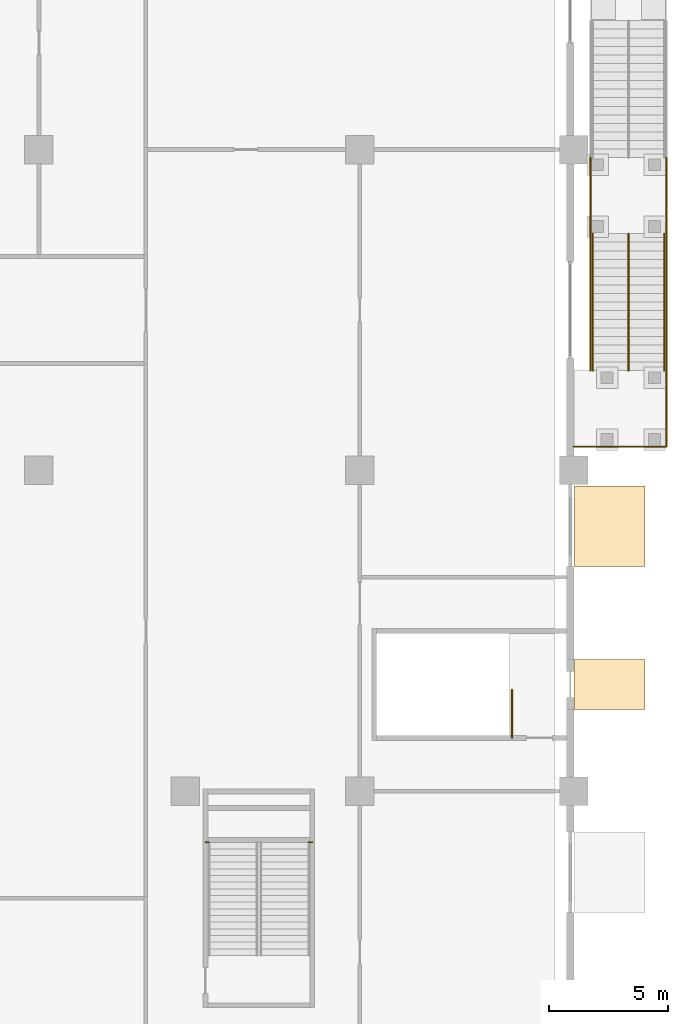
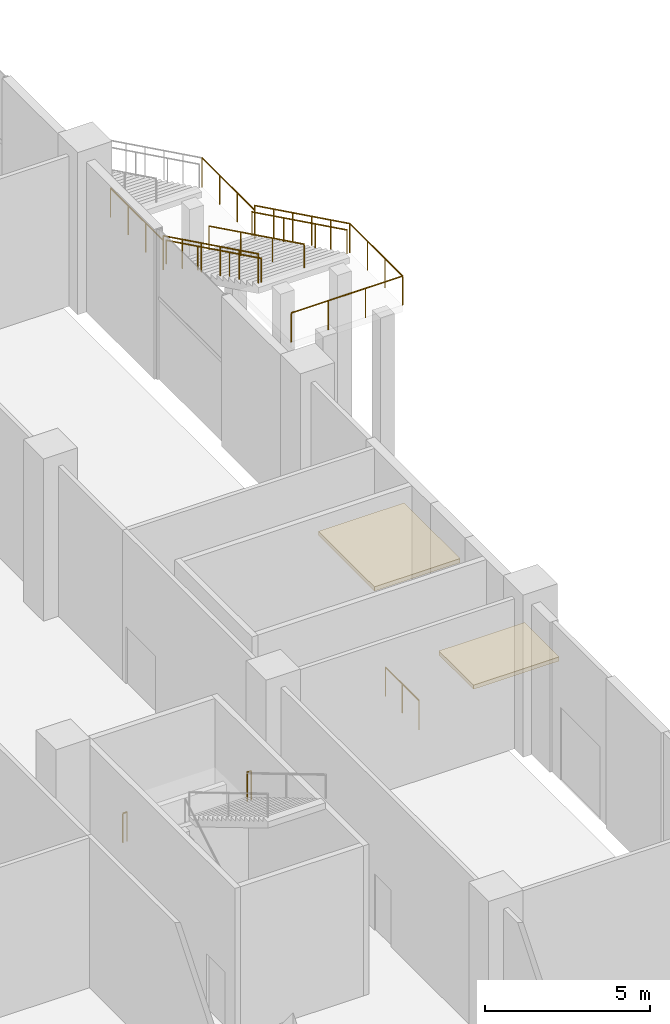
# One storey, part 66 of 68: 12 railings, 2 coverings.
"""IFC4 building model written with IfcOpenShell, lengths in metres."""

from ifc_helpers import new_model, si_unit, direction, frame, origin, origin_2d, place, context, subcontext, project, spatial, polyline, circle, outline, extrude, source, transform, mapped, material, layer, layer_set, type_object, element, save


model = new_model("IFC4")

# Units and contexts
model_context = context("Model", 3, precision=1e-05, world=origin(), true_north=direction((0.0, 1.0)))
body_context = subcontext(model_context, "Body", "Model", "MODEL_VIEW")
ifc_project = project(units=[si_unit("LENGTHUNIT", "METRE"), si_unit("AREAUNIT", "SQUARE_METRE"), si_unit("VOLUMEUNIT", "CUBIC_METRE"), si_unit("PLANEANGLEUNIT", "RADIAN"), si_unit("MASSUNIT", "GRAM", prefix="KILO")], contexts=[model_context])

# Site, building, storey
site_placement = place(None, origin())
site = spatial("IfcSite", under=ifc_project, at=site_placement, CompositionType="ELEMENT")
building_placement = place(site_placement, origin())
building = spatial("IfcBuilding", under=site, at=building_placement, Name="Altepetl Exchange Towers", CompositionType="ELEMENT")
storey_placement = place(building_placement, origin())
storey = spatial("IfcBuildingStorey", under=building, at=storey_placement, Name="L00 Ground concourse", CompositionType="ELEMENT", Elevation=0.0)

# Coverings
ifc_material_1 = material(Name="Cantera limestone paving", Category="masonry")
ifc_layer = layer(ifc_material_1, 0.14990234375)
ifc_layer_set = layer_set([ifc_layer], Name="Cantera limestone paving")
covering_type = type_object("IfcCoveringType", Name="Paving 150 limestone", PredefinedType="FLOORING", material=ifc_layer_set)
covering_1_placement = place(storey_placement, frame((0.0, 0.0, -0.14990234375)))
element("IfcCovering", 1, at=covering_1_placement, inside=storey, type_object=covering_type, Name="Paving", PredefinedType="FLOORING", context=body_context, shape_type="SweptSolid", body=[
    extrude(outline(polyline([(153.0, 66.449951171875), (156.0, 66.449951171875), (156.0, 68.550048828125), (153.0, 68.550048828125), (153.0, 66.449951171875)])), origin(), (0.0, 0.0, 1.0), 0.14990234375),
])
covering_2_placement = place(storey_placement, frame((0.0, 0.0, -0.14990234375)))
element("IfcCovering", 2, at=covering_2_placement, inside=storey, type_object=covering_type, Name="Paving", PredefinedType="FLOORING", context=body_context, shape_type="SweptSolid", body=[
    extrude(outline(polyline([(153.0, 72.449951171875), (156.0, 72.449951171875), (156.0, 75.85009765625), (153.0, 75.85009765625), (153.0, 72.449951171875)])), origin(), (0.0, 0.0, 1.0), 0.14990234375),
])

# Railings
ifc_material_2 = material(Name="Laminated glass and steel", Category="steel")
railing_type_1 = type_object("IfcRailingType", Name="Hall gallery guard 1100", PredefinedType="GUARDRAIL", material=ifc_material_2)
shared_shape_1 = source(origin(), body_context, "Body", "SweptSolid", [
    extrude(circle(Radius=0.02001953125, at=origin_2d()), origin(), (0.0, 0.0, 1.0), 1.050048828125),
])
for number, where, name in (
    (3, (137.5, 60.860107421875, 3.0), "rail:P:L00:PZ2land0"),
    (4, (141.85009765625, 60.860107421875, 3.0), "rail:P:L00:PZ2land1"),
):
    element("IfcRailing", number, at=place(storey_placement, frame(where)), inside=storey, type_object=railing_type_1, Name=name, PredefinedType="GUARDRAIL", context=body_context, shape_type="SweptSolid", body=[
        extrude(circle(Radius=0.02490234375, at=origin_2d()), frame((0.0, 0.0, 1.0751953125), z_axis=(1.0, 0.0, 0.0), x_axis=(0.0, 1.0, 0.0)), (0.0, 0.0, 1.0), 0.14990234375),
        mapped(shared_shape_1, transform((0.0, 0.0, 0.0))),
        mapped(shared_shape_1, transform((0.14990234375, 0.0, 0.0))),
    ])
railing_1_placement = place(storey_placement, frame((150.39990234375, 65.25, 0.0)))
element("IfcRailing", 5, at=railing_1_placement, inside=storey, type_object=railing_type_1, Name="rail:P:L00:ES8top", PredefinedType="GUARDRAIL", context=body_context, shape_type="SweptSolid", body=[
    extrude(circle(Radius=0.02490234375, at=origin_2d()), frame((0.0, 0.0, 1.0751953125), z_axis=(0.0, 1.0, 0.0), x_axis=(-1.0, 0.0, 0.0)), (0.0, 0.0, 1.0), 2.02490234375),
    mapped(shared_shape_1, transform((0.0, 0.0, 0.0))),
    mapped(shared_shape_1, transform((0.0, 1.012451171875, 0.0))),
    mapped(shared_shape_1, transform((0.0, 2.02490234375, 0.0))),
])
for number, where, name in (
    (6, (156.89990234375, 86.4599609375, 3.176513671875), "rail:P:L00:G6flightA"),
    (7, (153.699951171875, 86.4599609375, 3.176513671875), "rail:P:L00:G6flightA_in"),
):
    element("IfcRailing", number, at=place(storey_placement, frame(where)), inside=storey, type_object=railing_type_1, Name=name, PredefinedType="GUARDRAIL", context=body_context, shape_type="SweptSolid", body=[
        extrude(circle(Radius=0.02490234375, at=origin_2d()), frame((0.0, 0.0, 1.0751953125), z_axis=(0.0, -0.897923672095, 0.440151200262), x_axis=(1.0, 0.0, 0.0)), (0.0, 0.0, 1.0), 6.414794921875),
        mapped(shared_shape_1, transform((0.0, 0.0, 0.0))),
        mapped(shared_shape_1, transform((0.0, -1.152099609375, 0.564697265625))),
        mapped(shared_shape_1, transform((0.0, -2.303955078125, 1.12939453125))),
        mapped(shared_shape_1, transform((0.0, -3.4560546875, 1.694091796875))),
        mapped(shared_shape_1, transform((0.0, -4.60791015625, 2.2587890625))),
        mapped(shared_shape_1, transform((0.0, -5.760009765625, 2.823486328125))),
    ])
for number, where, name in (
    (8, (156.89990234375, 86.4599609375, 3.0), "rail:P:L00:G6mid"),
    (9, (153.699951171875, 86.4599609375, 3.0), "rail:P:L00:G6mid_in"),
):
    element("IfcRailing", number, at=place(storey_placement, frame(where)), inside=storey, type_object=railing_type_1, Name=name, PredefinedType="GUARDRAIL", context=body_context, shape_type="SweptSolid", body=[
        extrude(circle(Radius=0.02490234375, at=origin_2d()), frame((0.0, 0.0, 1.0751953125), z_axis=(0.0, 1.0, 0.0), x_axis=(-1.0, 0.0, 0.0)), (0.0, 0.0, 1.0), 3.199951171875),
        mapped(shared_shape_1, transform((0.0, 0.0, 0.0))),
        mapped(shared_shape_1, transform((0.0, 1.066650390625, 0.0))),
        mapped(shared_shape_1, transform((0.0, 2.13330078125, 0.0))),
        mapped(shared_shape_1, transform((0.0, 3.199951171875, 0.0))),
    ])
railing_2_placement = place(storey_placement, frame((153.0, 77.5, 6.0)))
element("IfcRailing", 10, at=railing_2_placement, inside=storey, type_object=railing_type_1, Name="rail:P:L00:G6platform_end", PredefinedType="GUARDRAIL", context=body_context, shape_type="SweptSolid", body=[
    extrude(circle(Radius=0.02490234375, at=origin_2d()), frame((0.0, 0.0, 1.0751953125), z_axis=(1.0, 0.0, 0.0), x_axis=(0.0, 1.0, 0.0)), (0.0, 0.0, 1.0), 3.89990234375),
    mapped(shared_shape_1, transform((0.0, 0.0, 0.0))),
    mapped(shared_shape_1, transform((1.300048828125, 0.0, 0.0))),
    mapped(shared_shape_1, transform((2.599853515625, 0.0, 0.0))),
    mapped(shared_shape_1, transform((3.89990234375, 0.0, 0.0))),
])
railing_3_placement = place(storey_placement, frame((156.89990234375, 77.5, 6.0)))
element("IfcRailing", 11, at=railing_3_placement, inside=storey, type_object=railing_type_1, Name="rail:P:L00:G6platform_out", PredefinedType="GUARDRAIL", context=body_context, shape_type="SweptSolid", body=[
    extrude(circle(Radius=0.02490234375, at=origin_2d()), frame((0.0, 0.0, 1.0751953125), z_axis=(0.0, 1.0, 0.0), x_axis=(-1.0, 0.0, 0.0)), (0.0, 0.0, 1.0), 3.199951171875),
    mapped(shared_shape_1, transform((0.0, 0.0, 0.0))),
    mapped(shared_shape_1, transform((0.0, 1.066650390625, 0.0))),
    mapped(shared_shape_1, transform((0.0, 2.13330078125, 0.0))),
    mapped(shared_shape_1, transform((0.0, 3.199951171875, 0.0))),
])
ifc_material_3 = material(Name="Stainless steel", Category="steel")
railing_type_2 = type_object("IfcRailingType", Name="Stair handrail 900", PredefinedType="HANDRAIL", material=ifc_material_3)
shared_shape_2 = source(origin(), body_context, "Body", "SweptSolid", [
    extrude(circle(Radius=0.02001953125, at=origin_2d()), origin(), (0.0, 0.0, 1.0), 0.849853515625),
])
for number, where, name in (
    (12, (153.800048828125, 86.4599609375, 3.176513671875), "rail:P:L00:G6hA_in"),
    (13, (155.300048828125, 86.4599609375, 3.176513671875), "rail:P:L00:G6hA_mid"),
    (14, (156.800048828125, 86.4599609375, 3.176513671875), "rail:P:L00:G6hA_out"),
):
    element("IfcRailing", number, at=place(storey_placement, frame(where)), inside=storey, type_object=railing_type_2, Name=name, PredefinedType="HANDRAIL", context=body_context, shape_type="SweptSolid", body=[
        extrude(circle(Radius=0.02490234375, at=origin_2d()), frame((0.0, 0.0, 0.875), z_axis=(0.0, -0.897923672095, 0.440151200262), x_axis=(1.0, 0.0, 0.0)), (0.0, 0.0, 1.0), 6.414794921875),
        mapped(shared_shape_2, transform((0.0, 0.0, 0.0))),
        mapped(shared_shape_2, transform((0.0, -1.919921875, 0.941162109375))),
        mapped(shared_shape_2, transform((0.0, -3.840087890625, 1.88232421875))),
        mapped(shared_shape_2, transform((0.0, -5.760009765625, 2.823486328125))),
    ])

save(model, "model.ifc")
